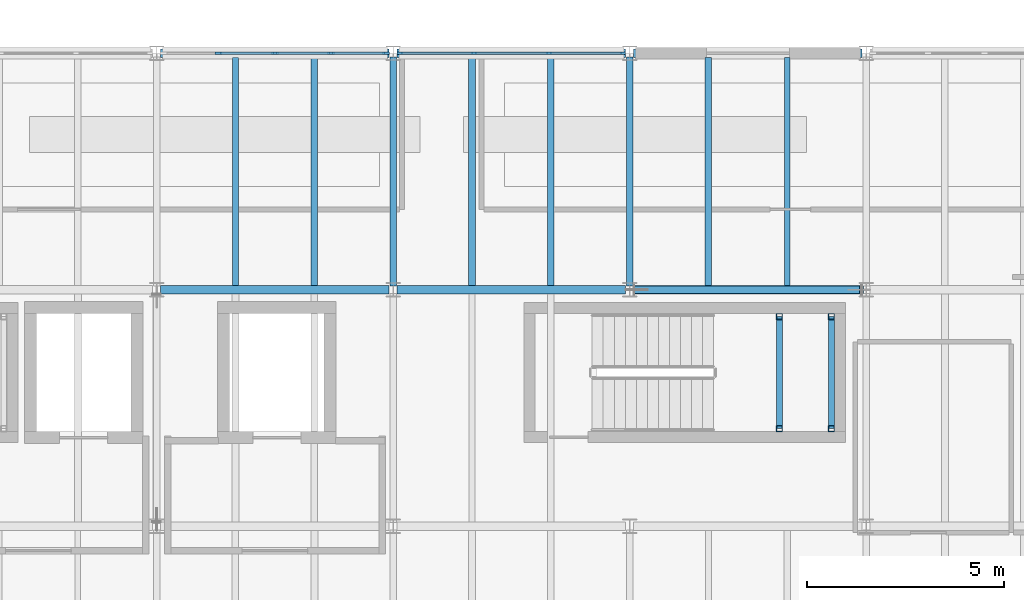
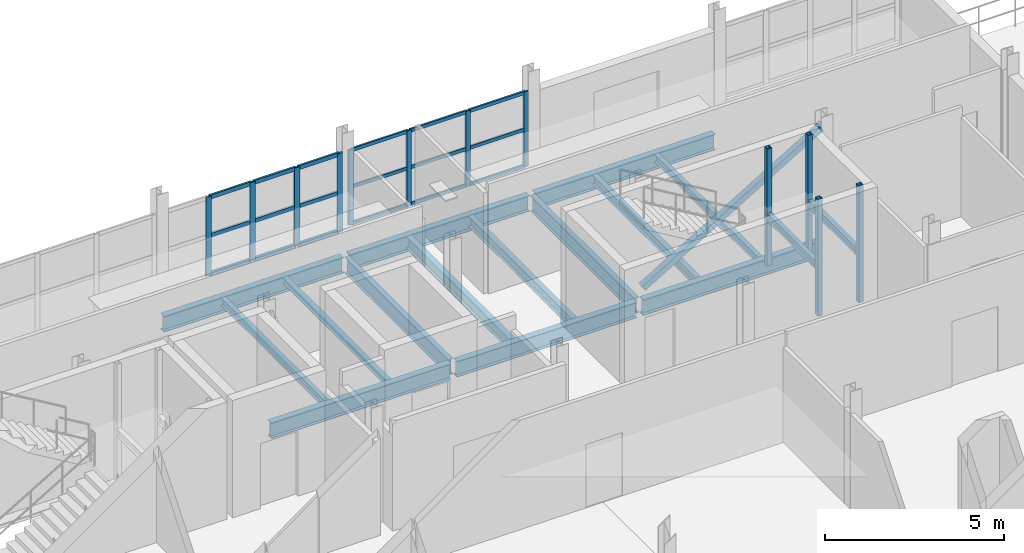
# One storey, part 19 of 45: 31 members, 16 beams, 2 elements without a shape of their own.
"""IFC4 building model written with IfcOpenShell, lengths in metres."""

from ifc_helpers import new_model, si_unit, direction, frame, origin, origin_2d, place, context, subcontext, project, spatial, rectangle, hollow_rectangle, i_section, extrude, material, material_profile, profile_set, type_object, element, aggregate, save


model = new_model("IFC4")

# Units and contexts
model_context = context("Model", 3, precision=1e-05, world=origin(), true_north=direction((0.0, 1.0)))
body_context = subcontext(model_context, "Body", "Model", "MODEL_VIEW")
ifc_project = project(units=[si_unit("LENGTHUNIT", "METRE"), si_unit("AREAUNIT", "SQUARE_METRE"), si_unit("VOLUMEUNIT", "CUBIC_METRE"), si_unit("PLANEANGLEUNIT", "RADIAN"), si_unit("MASSUNIT", "GRAM", prefix="KILO")], contexts=[model_context])

# Site, building, storey
site_placement = place(None, origin())
site = spatial("IfcSite", under=ifc_project, at=site_placement, CompositionType="ELEMENT")
building_placement = place(site_placement, origin())
building = spatial("IfcBuilding", under=site, at=building_placement, Name="Siltcreek Boulevard Central Fire Station", CompositionType="ELEMENT")
storey_placement = place(building_placement, frame((0.0, 0.0, 10.0)))
storey = spatial("IfcBuildingStorey", under=building, at=storey_placement, Name="L03", CompositionType="ELEMENT", Elevation=10.0)

# Beams
ifc_material_1 = material(Name="Structural steel ASTM A992 Gr50", Category="steel")
ifc_material_profile_1 = material_profile(ifc_material_1, i_section(OverallWidth=0.2109375, OverallDepth=0.5390625, WebThickness=0.01171875, FlangeThickness=0.018798828125, at=origin_2d()), Name="W530X109")
ifc_profile_set_1 = profile_set([ifc_material_profile_1], Name="Structural steel ASTM A992 Gr50")
beam_type_1 = type_object("IfcBeamType", Name="BM_W530X109", PredefinedType="BEAM", material=ifc_profile_set_1)
for number, where, z_axis, x_axis, name in (
    (1, (136.300048828125, 106.199951171875, -0.549560546875), (1.0, 0.0, 0.0), (0.0, 1.0, 0.0), "L03 primary steel girder GX-0423"),
    (2, (142.300048828125, 106.199951171875, -0.549560546875), (1.0, 0.0, 0.0), (0.0, 1.0, 0.0), "L03 primary steel girder GX-0424"),
    (3, (148.300048828125, 106.199951171875, -0.549560546875), (1.0, 0.0, 0.0), (0.0, 1.0, 0.0), "L03 primary steel girder GX-0425"),
    (4, (136.300048828125, 112.199951171875, -0.549560546875), (1.0, 0.0, 0.0), (0.0, 1.0, 0.0), "L03 primary steel girder GX-0430"),
    (5, (142.300048828125, 112.199951171875, -0.549560546875), (1.0, 0.0, 0.0), (0.0, 1.0, 0.0), "L03 primary steel girder GX-0431"),
    (6, (148.300048828125, 112.199951171875, -0.549560546875), (1.0, 0.0, 0.0), (0.0, 1.0, 0.0), "L03 primary steel girder GX-0432"),
):
    element("IfcBeam", number, at=place(storey_placement, frame(where, z_axis=z_axis, x_axis=x_axis)), inside=storey, type_object=beam_type_1, Name=name, PredefinedType="BEAM", context=body_context, shape_type="SweptSolid", body=[
        extrude(i_section(OverallWidth=0.2109375, OverallDepth=0.5390625, WebThickness=0.01171875, FlangeThickness=0.018798828125, at=origin_2d()), origin(), (0.0, 0.0, 1.0), 5.800048828125),
    ])
ifc_material_profile_2 = material_profile(ifc_material_1, i_section(OverallWidth=0.166015625, OverallDepth=0.534912109375, WebThickness=0.01025390625, FlangeThickness=0.0166015625, at=origin_2d()), Name="W530X85")
ifc_profile_set_2 = profile_set([ifc_material_profile_2], Name="Structural steel ASTM A992 Gr50")
beam_type_2 = type_object("IfcBeamType", Name="BM_W530X85", PredefinedType="BEAM", material=ifc_profile_set_2)
for number, where, z_axis, x_axis, name in (
    (7, (142.199951171875, 106.300048828125, -0.547607421875), (0.0, 1.0, 0.0), (-1.0, 0.0, 0.0), "L03 primary steel girder GY-0449"),
    (8, (148.199951171875, 106.300048828125, -0.547607421875), (0.0, 1.0, 0.0), (-1.0, 0.0, 0.0), "L03 primary steel girder GY-0452"),
):
    element("IfcBeam", number, at=place(storey_placement, frame(where, z_axis=z_axis, x_axis=x_axis)), inside=storey, type_object=beam_type_2, Name=name, PredefinedType="BEAM", context=body_context, shape_type="SweptSolid", body=[
        extrude(i_section(OverallWidth=0.166015625, OverallDepth=0.534912109375, WebThickness=0.01025390625, FlangeThickness=0.0166015625, at=origin_2d()), origin(), (0.0, 0.0, 1.0), 5.800048828125),
    ])

# Members
ifc_material_2 = material(Name="Structural steel ASTM A500 GrC", Category="steel")
ifc_material_profile_3 = material_profile(ifc_material_2, hollow_rectangle(XDim=0.14990234375, YDim=0.14990234375, WallThickness=0.008056640625, at=origin_2d()), Name="HSS150X150X8.0")
ifc_profile_set_3 = profile_set([ifc_material_profile_3], Name="Structural steel ASTM A500 GrC")
member_type_1 = type_object("IfcMemberType", Name="BR_HSS150_8", PredefinedType="BRACE", material=ifc_profile_set_3)
for number, where, z_axis, x_axis, name in (
    (9, (152.0, 102.679931640625, 0.0), (0.0, 0.0, 1.0), (1.0, 0.0, 0.0), "L03 ST-V5B stair landing corner post SW"),
    (10, (152.0, 105.52001953125, 0.0), (0.0, 0.0, 1.0), (1.0, 0.0, 0.0), "L03 ST-V5B stair landing corner post NW"),
    (11, (153.320068359375, 102.679931640625, 0.0), (0.0, 0.0, 1.0), (1.0, 0.0, 0.0), "L03 ST-V5B stair landing corner post SE"),
    (12, (153.320068359375, 105.52001953125, 0.0), (0.0, 0.0, 1.0), (1.0, 0.0, 0.0), "L03 ST-V5B stair landing corner post NE"),
):
    element("IfcMember", number, at=place(storey_placement, frame(where, z_axis=z_axis, x_axis=x_axis)), inside=storey, type_object=member_type_1, Name=name, PredefinedType="BRACE", context=body_context, shape_type="SweptSolid", body=[
        extrude(hollow_rectangle(XDim=0.14990234375, YDim=0.14990234375, WallThickness=0.008056640625, at=origin_2d()), origin(), (0.0, 0.0, 1.0), 4.0),
    ])
ifc_material_profile_4 = material_profile(ifc_material_2, hollow_rectangle(XDim=0.199951171875, YDim=0.199951171875, WallThickness=0.009521484375, at=origin_2d()), Name="HSS200X200X9.5")
ifc_profile_set_4 = profile_set([ifc_material_profile_4], Name="Structural steel ASTM A500 GrC")
member_type_2 = type_object("IfcMemberType", Name="BR_HSS200_9", PredefinedType="BRACE", material=ifc_profile_set_4)
member_1_placement = place(storey_placement, frame((148.320068359375, 106.199951171875, 0.10009765625), z_axis=(0.857890513261, 0.0, 0.513832528415), x_axis=(0.0, 1.0, 0.0)))
element("IfcMember", 13, at=member_1_placement, inside=storey, type_object=member_type_2, Name="L03 buckling-restrained brace BR-028", PredefinedType="BRACE", context=body_context, shape_type="SweptSolid", body=[
    extrude(hollow_rectangle(XDim=0.199951171875, YDim=0.199951171875, WallThickness=0.009521484375, at=origin_2d()), origin(), (0.0, 0.0, 1.0), 6.714111328125),
])

# Curtain wall, members
ifc_material_3 = material(Name="Anodized aluminum and low-E insulated glazing", Category="aluminium")
curtain_wall_type_1 = type_object("IfcCurtainWallType", Name="CW_SYS_10", PredefinedType="USERDEFINED", material=ifc_material_3)
curtain_wall_1_placement = place(storey_placement, origin())
curtain_wall_1 = element("IfcCurtainWall", 14, at=curtain_wall_1_placement, inside=storey, type_object=curtain_wall_type_1, Name="L03 V5 unitised curtain wall CW-159", ObjectType="CURTAIN WALL", PredefinedType="USERDEFINED")
ifc_material_4 = material(Name="Anodized 6063-T6 aluminum framing", Category="aluminium")
ifc_material_profile_5 = material_profile(ifc_material_4, rectangle(XDim=0.06005859375, YDim=0.14990234375, at=origin_2d()), Name="MULL60X150")
ifc_profile_set_5 = profile_set([ifc_material_profile_5], Name="Anodized 6063-T6 aluminum framing")
member_type_3 = type_object("IfcMemberType", Name="CWM_60X150", PredefinedType="MULLION", material=ifc_profile_set_5)
member_2_placement = place(storey_placement, frame((148.02490234375, 112.199951171875, 0.679931640625), z_axis=(0.0, 0.0, 1.0), x_axis=(0.0, -1.0, 0.0)))
member_2 = element("IfcMember", 15, at=member_2_placement, type_object=member_type_3, Name="CW-159 mullion 1", PredefinedType="MULLION", context=body_context, shape_type="SweptSolid", body=[
    extrude(rectangle(XDim=0.06005859375, YDim=0.14990234375, at=origin_2d()), origin(), (0.0, 0.0, 1.0), 2.569091796875),
])
member_3_placement = place(storey_placement, frame((146.151611328125, 112.199951171875, 0.679931640625), z_axis=(0.0, 0.0, 1.0), x_axis=(0.0, -1.0, 0.0)))
member_3 = element("IfcMember", 16, at=member_3_placement, type_object=member_type_3, Name="CW-159 mullion 2", PredefinedType="MULLION", context=body_context, shape_type="SweptSolid", body=[
    extrude(rectangle(XDim=0.06005859375, YDim=0.14990234375, at=origin_2d()), origin(), (0.0, 0.0, 1.0), 2.569091796875),
])
member_4_placement = place(storey_placement, frame((144.248291015625, 112.199951171875, 0.679931640625), z_axis=(0.0, 0.0, 1.0), x_axis=(0.0, -1.0, 0.0)))
member_4 = element("IfcMember", 17, at=member_4_placement, type_object=member_type_3, Name="CW-159 mullion 3", PredefinedType="MULLION", context=body_context, shape_type="SweptSolid", body=[
    extrude(rectangle(XDim=0.06005859375, YDim=0.14990234375, at=origin_2d()), origin(), (0.0, 0.0, 1.0), 2.569091796875),
])
member_5_placement = place(storey_placement, frame((142.375, 112.199951171875, 0.679931640625), z_axis=(0.0, 0.0, 1.0), x_axis=(0.0, -1.0, 0.0)))
member_5 = element("IfcMember", 18, at=member_5_placement, type_object=member_type_3, Name="CW-159 mullion 4", PredefinedType="MULLION", context=body_context, shape_type="SweptSolid", body=[
    extrude(rectangle(XDim=0.06005859375, YDim=0.14990234375, at=origin_2d()), origin(), (0.0, 0.0, 1.0), 2.569091796875),
])

curtain_wall_type_2 = type_object("IfcCurtainWallType", Name="CW_SYS_09", PredefinedType="USERDEFINED", material=ifc_material_3)
curtain_wall_2_placement = place(storey_placement, origin())
curtain_wall_2 = element("IfcCurtainWall", 19, at=curtain_wall_2_placement, inside=storey, type_object=curtain_wall_type_2, Name="L03 V5 unitised curtain wall CW-158", ObjectType="CURTAIN WALL", PredefinedType="USERDEFINED")
ifc_material_profile_6 = material_profile(ifc_material_4, rectangle(XDim=0.06494140625, YDim=0.175048828125, at=origin_2d()), Name="MULL65X175")
ifc_profile_set_6 = profile_set([ifc_material_profile_6], Name="Anodized 6063-T6 aluminum framing")
member_type_4 = type_object("IfcMemberType", Name="CWM_65X175", PredefinedType="MULLION", material=ifc_profile_set_6)
member_6_placement = place(storey_placement, frame((142.0224609375, 112.199951171875, 0.56005859375), z_axis=(0.0, 0.0, 1.0), x_axis=(0.0, -1.0, 0.0)))
member_6 = element("IfcMember", 20, at=member_6_placement, type_object=member_type_4, Name="CW-158 mullion 1", PredefinedType="MULLION", context=body_context, shape_type="SweptSolid", body=[
    extrude(rectangle(XDim=0.06494140625, YDim=0.175048828125, at=origin_2d()), origin(), (0.0, 0.0, 1.0), 2.68896484375),
])
member_7_placement = place(storey_placement, frame((140.62744140625, 112.199951171875, 0.56005859375), z_axis=(0.0, 0.0, 1.0), x_axis=(0.0, -1.0, 0.0)))
member_7 = element("IfcMember", 21, at=member_7_placement, type_object=member_type_4, Name="CW-158 mullion 2", PredefinedType="MULLION", context=body_context, shape_type="SweptSolid", body=[
    extrude(rectangle(XDim=0.06494140625, YDim=0.175048828125, at=origin_2d()), origin(), (0.0, 0.0, 1.0), 2.68896484375),
])
member_8_placement = place(storey_placement, frame((139.199951171875, 112.199951171875, 0.56005859375), z_axis=(0.0, 0.0, 1.0), x_axis=(0.0, -1.0, 0.0)))
member_8 = element("IfcMember", 22, at=member_8_placement, type_object=member_type_4, Name="CW-158 mullion 3", PredefinedType="MULLION", context=body_context, shape_type="SweptSolid", body=[
    extrude(rectangle(XDim=0.06494140625, YDim=0.175048828125, at=origin_2d()), origin(), (0.0, 0.0, 1.0), 2.68896484375),
])
member_9_placement = place(storey_placement, frame((137.7724609375, 112.199951171875, 0.56005859375), z_axis=(0.0, 0.0, 1.0), x_axis=(0.0, -1.0, 0.0)))
member_9 = element("IfcMember", 23, at=member_9_placement, type_object=member_type_4, Name="CW-158 mullion 4", PredefinedType="MULLION", context=body_context, shape_type="SweptSolid", body=[
    extrude(rectangle(XDim=0.06494140625, YDim=0.175048828125, at=origin_2d()), origin(), (0.0, 0.0, 1.0), 2.68896484375),
])

# Member
ifc_material_profile_7 = material_profile(ifc_material_4, rectangle(XDim=0.06005859375, YDim=0.114990234375, at=origin_2d()), Name="TRAN60X115")
ifc_profile_set_7 = profile_set([ifc_material_profile_7], Name="Anodized 6063-T6 aluminum framing")
member_type_5 = type_object("IfcMemberType", Name="CWT_60X115", PredefinedType="USERDEFINED", material=ifc_profile_set_7)
member_10_placement = place(storey_placement, frame((147.9951171875, 112.199951171875, 0.7099609375), z_axis=(-1.0, 0.0, 0.0), x_axis=(0.0, -1.0, 0.0)))
member_10 = element("IfcMember", 24, at=member_10_placement, type_object=member_type_5, Name="CW-159 transom 1.1", ObjectType="TRANSOM", PredefinedType="USERDEFINED", context=body_context, shape_type="SweptSolid", body=[
    extrude(rectangle(XDim=0.06005859375, YDim=0.114990234375, at=origin_2d()), origin(), (0.0, 0.0, 1.0), 1.8134765625),
])

member_11_placement = place(storey_placement, frame((147.9951171875, 112.199951171875, 1.964599609375), z_axis=(-1.0, 0.0, 0.0), x_axis=(0.0, -1.0, 0.0)))
member_11 = element("IfcMember", 25, at=member_11_placement, type_object=member_type_5, Name="CW-159 transom 1.2", ObjectType="TRANSOM", PredefinedType="USERDEFINED", context=body_context, shape_type="SweptSolid", body=[
    extrude(rectangle(XDim=0.06005859375, YDim=0.114990234375, at=origin_2d()), origin(), (0.0, 0.0, 1.0), 1.8134765625),
])

member_12_placement = place(storey_placement, frame((147.9951171875, 112.199951171875, 3.218994140625), z_axis=(-1.0, 0.0, 0.0), x_axis=(0.0, -1.0, 0.0)))
member_12 = element("IfcMember", 26, at=member_12_placement, type_object=member_type_5, Name="CW-159 transom 1.3", ObjectType="TRANSOM", PredefinedType="USERDEFINED", context=body_context, shape_type="SweptSolid", body=[
    extrude(rectangle(XDim=0.06005859375, YDim=0.114990234375, at=origin_2d()), origin(), (0.0, 0.0, 1.0), 1.8134765625),
])

member_13_placement = place(storey_placement, frame((146.12158203125, 112.199951171875, 0.7099609375), z_axis=(-1.0, 0.0, 0.0), x_axis=(0.0, -1.0, 0.0)))
member_13 = element("IfcMember", 27, at=member_13_placement, type_object=member_type_5, Name="CW-159 transom 2.1", ObjectType="TRANSOM", PredefinedType="USERDEFINED", context=body_context, shape_type="SweptSolid", body=[
    extrude(rectangle(XDim=0.06005859375, YDim=0.114990234375, at=origin_2d()), origin(), (0.0, 0.0, 1.0), 1.84326171875),
])

member_14_placement = place(storey_placement, frame((146.12158203125, 112.199951171875, 1.964599609375), z_axis=(-1.0, 0.0, 0.0), x_axis=(0.0, -1.0, 0.0)))
member_14 = element("IfcMember", 28, at=member_14_placement, type_object=member_type_5, Name="CW-159 transom 2.2", ObjectType="TRANSOM", PredefinedType="USERDEFINED", context=body_context, shape_type="SweptSolid", body=[
    extrude(rectangle(XDim=0.06005859375, YDim=0.114990234375, at=origin_2d()), origin(), (0.0, 0.0, 1.0), 1.84326171875),
])

member_15_placement = place(storey_placement, frame((146.12158203125, 112.199951171875, 3.218994140625), z_axis=(-1.0, 0.0, 0.0), x_axis=(0.0, -1.0, 0.0)))
member_15 = element("IfcMember", 29, at=member_15_placement, type_object=member_type_5, Name="CW-159 transom 2.3", ObjectType="TRANSOM", PredefinedType="USERDEFINED", context=body_context, shape_type="SweptSolid", body=[
    extrude(rectangle(XDim=0.06005859375, YDim=0.114990234375, at=origin_2d()), origin(), (0.0, 0.0, 1.0), 1.84326171875),
])

member_16_placement = place(storey_placement, frame((144.21826171875, 112.199951171875, 0.7099609375), z_axis=(-1.0, 0.0, 0.0), x_axis=(0.0, -1.0, 0.0)))
member_16 = element("IfcMember", 30, at=member_16_placement, type_object=member_type_5, Name="CW-159 transom 3.1", ObjectType="TRANSOM", PredefinedType="USERDEFINED", context=body_context, shape_type="SweptSolid", body=[
    extrude(rectangle(XDim=0.06005859375, YDim=0.114990234375, at=origin_2d()), origin(), (0.0, 0.0, 1.0), 1.813232421875),
])

member_17_placement = place(storey_placement, frame((144.21826171875, 112.199951171875, 1.964599609375), z_axis=(-1.0, 0.0, 0.0), x_axis=(0.0, -1.0, 0.0)))
member_17 = element("IfcMember", 31, at=member_17_placement, type_object=member_type_5, Name="CW-159 transom 3.2", ObjectType="TRANSOM", PredefinedType="USERDEFINED", context=body_context, shape_type="SweptSolid", body=[
    extrude(rectangle(XDim=0.06005859375, YDim=0.114990234375, at=origin_2d()), origin(), (0.0, 0.0, 1.0), 1.813232421875),
])

member_18_placement = place(storey_placement, frame((144.21826171875, 112.199951171875, 3.218994140625), z_axis=(-1.0, 0.0, 0.0), x_axis=(0.0, -1.0, 0.0)))
member_18 = element("IfcMember", 32, at=member_18_placement, type_object=member_type_5, Name="CW-159 transom 3.3", ObjectType="TRANSOM", PredefinedType="USERDEFINED", context=body_context, shape_type="SweptSolid", body=[
    extrude(rectangle(XDim=0.06005859375, YDim=0.114990234375, at=origin_2d()), origin(), (0.0, 0.0, 1.0), 1.813232421875),
])

aggregate(curtain_wall_1, [member_2, member_3, member_4, member_5, member_10, member_11, member_12, member_13, member_14, member_15, member_16, member_17, member_18])

ifc_material_profile_8 = material_profile(ifc_material_4, rectangle(XDim=0.06494140625, YDim=0.135009765625, at=origin_2d()), Name="TRAN65X135")
ifc_profile_set_8 = profile_set([ifc_material_profile_8], Name="Anodized 6063-T6 aluminum framing")
member_type_6 = type_object("IfcMemberType", Name="CWT_65X135", PredefinedType="USERDEFINED", material=ifc_profile_set_8)
member_19_placement = place(storey_placement, frame((141.989990234375, 112.199951171875, 0.592529296875), z_axis=(-1.0, 0.0, 0.0), x_axis=(0.0, -1.0, 0.0)))
member_19 = element("IfcMember", 33, at=member_19_placement, type_object=member_type_6, Name="CW-158 transom 1.1", ObjectType="TRANSOM", PredefinedType="USERDEFINED", context=body_context, shape_type="SweptSolid", body=[
    extrude(rectangle(XDim=0.06494140625, YDim=0.135009765625, at=origin_2d()), origin(), (0.0, 0.0, 1.0), 1.330078125),
])

member_20_placement = place(storey_placement, frame((141.989990234375, 112.199951171875, 1.904541015625), z_axis=(-1.0, 0.0, 0.0), x_axis=(0.0, -1.0, 0.0)))
member_20 = element("IfcMember", 34, at=member_20_placement, type_object=member_type_6, Name="CW-158 transom 1.2", ObjectType="TRANSOM", PredefinedType="USERDEFINED", context=body_context, shape_type="SweptSolid", body=[
    extrude(rectangle(XDim=0.06494140625, YDim=0.135009765625, at=origin_2d()), origin(), (0.0, 0.0, 1.0), 1.330078125),
])

member_21_placement = place(storey_placement, frame((141.989990234375, 112.199951171875, 3.216552734375), z_axis=(-1.0, 0.0, 0.0), x_axis=(0.0, -1.0, 0.0)))
member_21 = element("IfcMember", 35, at=member_21_placement, type_object=member_type_6, Name="CW-158 transom 1.3", ObjectType="TRANSOM", PredefinedType="USERDEFINED", context=body_context, shape_type="SweptSolid", body=[
    extrude(rectangle(XDim=0.06494140625, YDim=0.135009765625, at=origin_2d()), origin(), (0.0, 0.0, 1.0), 1.330078125),
])

member_22_placement = place(storey_placement, frame((140.594970703125, 112.199951171875, 0.592529296875), z_axis=(-1.0, 0.0, 0.0), x_axis=(0.0, -1.0, 0.0)))
member_22 = element("IfcMember", 36, at=member_22_placement, type_object=member_type_6, Name="CW-158 transom 2.1", ObjectType="TRANSOM", PredefinedType="USERDEFINED", context=body_context, shape_type="SweptSolid", body=[
    extrude(rectangle(XDim=0.06494140625, YDim=0.135009765625, at=origin_2d()), origin(), (0.0, 0.0, 1.0), 1.362548828125),
])

member_23_placement = place(storey_placement, frame((140.594970703125, 112.199951171875, 1.904541015625), z_axis=(-1.0, 0.0, 0.0), x_axis=(0.0, -1.0, 0.0)))
member_23 = element("IfcMember", 37, at=member_23_placement, type_object=member_type_6, Name="CW-158 transom 2.2", ObjectType="TRANSOM", PredefinedType="USERDEFINED", context=body_context, shape_type="SweptSolid", body=[
    extrude(rectangle(XDim=0.06494140625, YDim=0.135009765625, at=origin_2d()), origin(), (0.0, 0.0, 1.0), 1.362548828125),
])

member_24_placement = place(storey_placement, frame((140.594970703125, 112.199951171875, 3.216552734375), z_axis=(-1.0, 0.0, 0.0), x_axis=(0.0, -1.0, 0.0)))
member_24 = element("IfcMember", 38, at=member_24_placement, type_object=member_type_6, Name="CW-158 transom 2.3", ObjectType="TRANSOM", PredefinedType="USERDEFINED", context=body_context, shape_type="SweptSolid", body=[
    extrude(rectangle(XDim=0.06494140625, YDim=0.135009765625, at=origin_2d()), origin(), (0.0, 0.0, 1.0), 1.362548828125),
])

member_25_placement = place(storey_placement, frame((139.16748046875, 112.199951171875, 0.592529296875), z_axis=(-1.0, 0.0, 0.0), x_axis=(0.0, -1.0, 0.0)))
member_25 = element("IfcMember", 39, at=member_25_placement, type_object=member_type_6, Name="CW-158 transom 3.1", ObjectType="TRANSOM", PredefinedType="USERDEFINED", context=body_context, shape_type="SweptSolid", body=[
    extrude(rectangle(XDim=0.06494140625, YDim=0.135009765625, at=origin_2d()), origin(), (0.0, 0.0, 1.0), 1.362548828125),
])

member_26_placement = place(storey_placement, frame((139.16748046875, 112.199951171875, 1.904541015625), z_axis=(-1.0, 0.0, 0.0), x_axis=(0.0, -1.0, 0.0)))
member_26 = element("IfcMember", 40, at=member_26_placement, type_object=member_type_6, Name="CW-158 transom 3.2", ObjectType="TRANSOM", PredefinedType="USERDEFINED", context=body_context, shape_type="SweptSolid", body=[
    extrude(rectangle(XDim=0.06494140625, YDim=0.135009765625, at=origin_2d()), origin(), (0.0, 0.0, 1.0), 1.362548828125),
])

member_27_placement = place(storey_placement, frame((139.16748046875, 112.199951171875, 3.216552734375), z_axis=(-1.0, 0.0, 0.0), x_axis=(0.0, -1.0, 0.0)))
member_27 = element("IfcMember", 41, at=member_27_placement, type_object=member_type_6, Name="CW-158 transom 3.3", ObjectType="TRANSOM", PredefinedType="USERDEFINED", context=body_context, shape_type="SweptSolid", body=[
    extrude(rectangle(XDim=0.06494140625, YDim=0.135009765625, at=origin_2d()), origin(), (0.0, 0.0, 1.0), 1.362548828125),
])

aggregate(curtain_wall_2, [member_6, member_7, member_8, member_9, member_19, member_20, member_21, member_22, member_23, member_24, member_25, member_26, member_27])

# Beams
ifc_material_profile_9 = material_profile(ifc_material_1, i_section(OverallWidth=0.1650390625, OverallDepth=0.200927734375, WebThickness=0.006103515625, FlangeThickness=0.01025390625, at=origin_2d()), Name="W200X36")
ifc_profile_set_9 = profile_set([ifc_material_profile_9], Name="Structural steel ASTM A992 Gr50")
beam_type_3 = type_object("IfcBeamType", Name="JST_W200X36", PredefinedType="JOIST", material=ifc_profile_set_9)
beam_1_placement = place(storey_placement, frame((140.199951171875, 106.303466796875, -0.380615234375), z_axis=(0.0, 1.0, 0.0), x_axis=(-1.0, 0.0, 0.0)))
element("IfcBeam", 42, at=beam_1_placement, inside=storey, type_object=beam_type_3, Name="L03 secondary steel floor joist 0396", PredefinedType="JOIST", context=body_context, shape_type="SweptSolid", body=[
    extrude(i_section(OverallWidth=0.1650390625, OverallDepth=0.200927734375, WebThickness=0.006103515625, FlangeThickness=0.01025390625, at=origin_2d()), origin(), (0.0, 0.0, 1.0), 5.79296875),
])
ifc_material_profile_10 = material_profile(ifc_material_1, i_section(OverallWidth=0.14697265625, OverallDepth=0.261962890625, WebThickness=0.006591796875, FlangeThickness=0.01123046875, at=origin_2d()), Name="W250X39")
ifc_profile_set_10 = profile_set([ifc_material_profile_10], Name="Structural steel ASTM A992 Gr50")
beam_type_4 = type_object("IfcBeamType", Name="JST_W250X39", PredefinedType="JOIST", material=ifc_profile_set_10)
for number, where, z_axis, x_axis, name in (
    (43, (138.199951171875, 106.303466796875, -0.410888671875), (0.0, 1.0, 0.0), (-1.0, 0.0, 0.0), "L03 secondary steel floor joist 0395"),
    (44, (152.199951171875, 106.303466796875, -0.410888671875), (0.0, 1.0, 0.0), (-1.0, 0.0, 0.0), "L03 secondary steel floor joist 0400"),
):
    element("IfcBeam", number, at=place(storey_placement, frame(where, z_axis=z_axis, x_axis=x_axis)), inside=storey, type_object=beam_type_4, Name=name, PredefinedType="JOIST", context=body_context, shape_type="SweptSolid", body=[
        extrude(i_section(OverallWidth=0.14697265625, OverallDepth=0.261962890625, WebThickness=0.006591796875, FlangeThickness=0.01123046875, at=origin_2d()), origin(), (0.0, 0.0, 1.0), 5.79296875),
    ])
for number, where, z_axis, x_axis, name in (
    (45, (152.0, 102.679931640625, 1.6689453125), (0.0, 1.0, 0.0), (-1.0, 0.0, 0.0), "L03 ST-V5B stair landing bearer MIDW"),
    (46, (153.320068359375, 102.679931640625, 1.6689453125), (0.0, 1.0, 0.0), (-1.0, 0.0, 0.0), "L03 ST-V5B stair landing bearer MIDE"),
):
    element("IfcBeam", number, at=place(storey_placement, frame(where, z_axis=z_axis, x_axis=x_axis)), inside=storey, type_object=beam_type_4, Name=name, PredefinedType="JOIST", context=body_context, shape_type="SweptSolid", body=[
        extrude(i_section(OverallWidth=0.14697265625, OverallDepth=0.261962890625, WebThickness=0.006591796875, FlangeThickness=0.01123046875, at=origin_2d()), origin(), (0.0, 0.0, 1.0), 2.840087890625),
    ])
ifc_material_profile_11 = material_profile(ifc_material_1, i_section(OverallWidth=0.166015625, OverallDepth=0.31298828125, WebThickness=0.006591796875, FlangeThickness=0.01123046875, at=origin_2d()), Name="W310X45")
ifc_profile_set_11 = profile_set([ifc_material_profile_11], Name="Structural steel ASTM A992 Gr50")
beam_type_5 = type_object("IfcBeamType", Name="JST_W310X45", PredefinedType="JOIST", material=ifc_profile_set_11)
beam_2_placement = place(storey_placement, frame((150.199951171875, 106.303466796875, -0.4365234375), z_axis=(0.0, 1.0, 0.0), x_axis=(-1.0, 0.0, 0.0)))
element("IfcBeam", 47, at=beam_2_placement, inside=storey, type_object=beam_type_5, Name="L03 secondary steel floor joist 0399", PredefinedType="JOIST", context=body_context, shape_type="SweptSolid", body=[
    extrude(i_section(OverallWidth=0.166015625, OverallDepth=0.31298828125, WebThickness=0.006591796875, FlangeThickness=0.01123046875, at=origin_2d()), origin(), (0.0, 0.0, 1.0), 5.79296875),
])
ifc_material_profile_12 = material_profile(ifc_material_1, i_section(OverallWidth=0.172119140625, OverallDepth=0.35791015625, WebThickness=0.0078125, FlangeThickness=0.01318359375, at=origin_2d()), Name="W360X57")
ifc_profile_set_12 = profile_set([ifc_material_profile_12], Name="Structural steel ASTM A992 Gr50")
beam_type_6 = type_object("IfcBeamType", Name="JST_W360X57", PredefinedType="JOIST", material=ifc_profile_set_12)
beam_3_placement = place(storey_placement, frame((146.199951171875, 106.303466796875, -0.458984375), z_axis=(0.0, 1.0, 0.0), x_axis=(-1.0, 0.0, 0.0)))
element("IfcBeam", 48, at=beam_3_placement, inside=storey, type_object=beam_type_6, Name="L03 secondary steel floor joist 0398", PredefinedType="JOIST", context=body_context, shape_type="SweptSolid", body=[
    extrude(i_section(OverallWidth=0.172119140625, OverallDepth=0.35791015625, WebThickness=0.0078125, FlangeThickness=0.01318359375, at=origin_2d()), origin(), (0.0, 0.0, 1.0), 5.79296875),
])
ifc_material_profile_13 = material_profile(ifc_material_1, i_section(OverallWidth=0.177001953125, OverallDepth=0.403076171875, WebThickness=0.007568359375, FlangeThickness=0.010986328125, at=origin_2d()), Name="W410X53")
ifc_profile_set_13 = profile_set([ifc_material_profile_13], Name="Structural steel ASTM A992 Gr50")
beam_type_7 = type_object("IfcBeamType", Name="JST_W410X53", PredefinedType="JOIST", material=ifc_profile_set_13)
beam_4_placement = place(storey_placement, frame((144.199951171875, 106.303466796875, -0.4814453125), z_axis=(0.0, 1.0, 0.0), x_axis=(-1.0, 0.0, 0.0)))
element("IfcBeam", 49, at=beam_4_placement, inside=storey, type_object=beam_type_7, Name="L03 secondary steel floor joist 0397", PredefinedType="JOIST", context=body_context, shape_type="SweptSolid", body=[
    extrude(i_section(OverallWidth=0.177001953125, OverallDepth=0.403076171875, WebThickness=0.007568359375, FlangeThickness=0.010986328125, at=origin_2d()), origin(), (0.0, 0.0, 1.0), 5.79296875),
])

save(model, "model.ifc")
